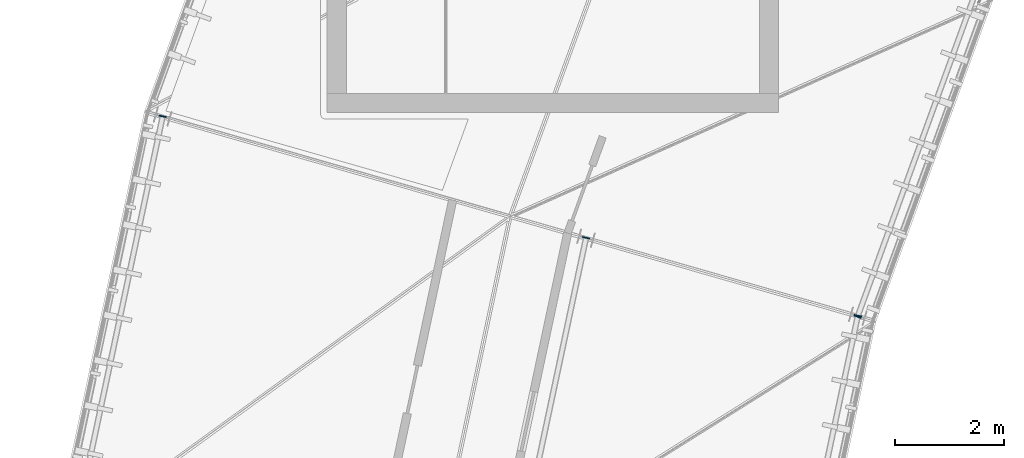
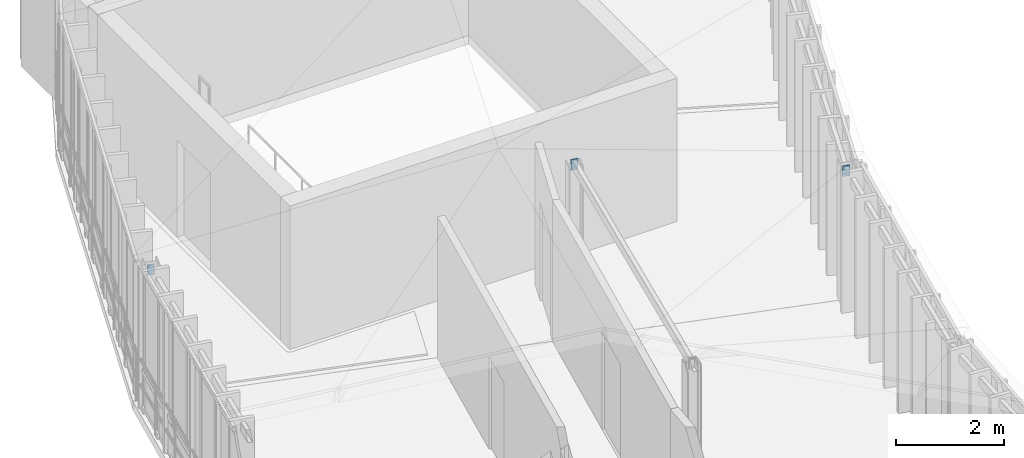
# One storey, part 11 of 18: 4 plates.
"""IFC4 building model written with IfcOpenShell, lengths in metres."""

from ifc_helpers import new_model, si_unit, direction, frame, origin, origin_2d, place, context, subcontext, project, spatial, rectangle, extrude, material, layer, layer_set, type_object, element, save


model = new_model("IFC4")

# Units and contexts
model_context = context("Model", 3, precision=1e-05, world=origin(), true_north=direction((0.0, 1.0)))
body_context = subcontext(model_context, "Body", "Model", "MODEL_VIEW")
ifc_project = project(units=[si_unit("LENGTHUNIT", "METRE"), si_unit("AREAUNIT", "SQUARE_METRE"), si_unit("VOLUMEUNIT", "CUBIC_METRE"), si_unit("PLANEANGLEUNIT", "RADIAN"), si_unit("MASSUNIT", "GRAM", prefix="KILO"), si_unit("THERMODYNAMICTEMPERATUREUNIT", "KELVIN"), si_unit("POWERUNIT", "WATT")], contexts=[model_context])

# Site, building, storey
site_placement = place(None, origin())
site = spatial("IfcSite", under=ifc_project, at=site_placement, CompositionType="ELEMENT")
building_placement = place(site_placement, origin())
building = spatial("IfcBuilding", under=site, at=building_placement, Name="Solvatero Civic Police Headquarters", CompositionType="ELEMENT")
storey_placement = place(building_placement, frame((0.0, 0.0, 29.39990234375)))
storey = spatial("IfcBuildingStorey", under=building, at=storey_placement, Name="L07", CompositionType="ELEMENT", Elevation=29.39990234375)

# Plates
ifc_material = material(Name="Steel S355", Category="steel")
ifc_layer = layer(ifc_material, 0.02001953125)
ifc_layer_set = layer_set([ifc_layer], Name="Steel S355")
plate_type = type_object("IfcPlateType", Name="PLT-CAP-20", PredefinedType="SHEET", material=ifc_layer_set)
for number, where, z_axis, x_axis, name in (
    (1, (50.4033203125, 38.49072265625, 2.80029296875), (0.0, 0.0, 1.0), (-0.342020143326, -0.939692620786, 0.0), "Hollow Section End Cap Plate 0222"),
    (2, (50.408935546875, 38.510009765625, 2.80029296875), (0.0, 0.0, 1.0), (-0.207911690818, -0.978147600734, 0.0), "Hollow Section End Cap Plate 0223"),
    (3, (45.410400390625, 39.943359375, 3.81494140625), (0.0, 0.0, 1.0), (-0.207911690818, -0.978147600734, 0.0), "Hollow Section End Cap Plate 0225"),
    (4, (37.6240234375, 42.17578125, 2.80029296875), (0.0, 0.0, 1.0), (-0.207911690818, -0.978147600734, 0.0), "Hollow Section End Cap Plate 0227"),
):
    element("IfcPlate", number, at=place(storey_placement, frame(where, z_axis=z_axis, x_axis=x_axis)), inside=storey, type_object=plate_type, Name=name, PredefinedType="SHEET", context=body_context, shape_type="SweptSolid", body=[
        extrude(rectangle(XDim=0.02001953125, YDim=0.139892578125, at=origin_2d()), origin(), (0.0, 0.0, 1.0), 0.239990234375),
    ])

save(model, "model.ifc")
